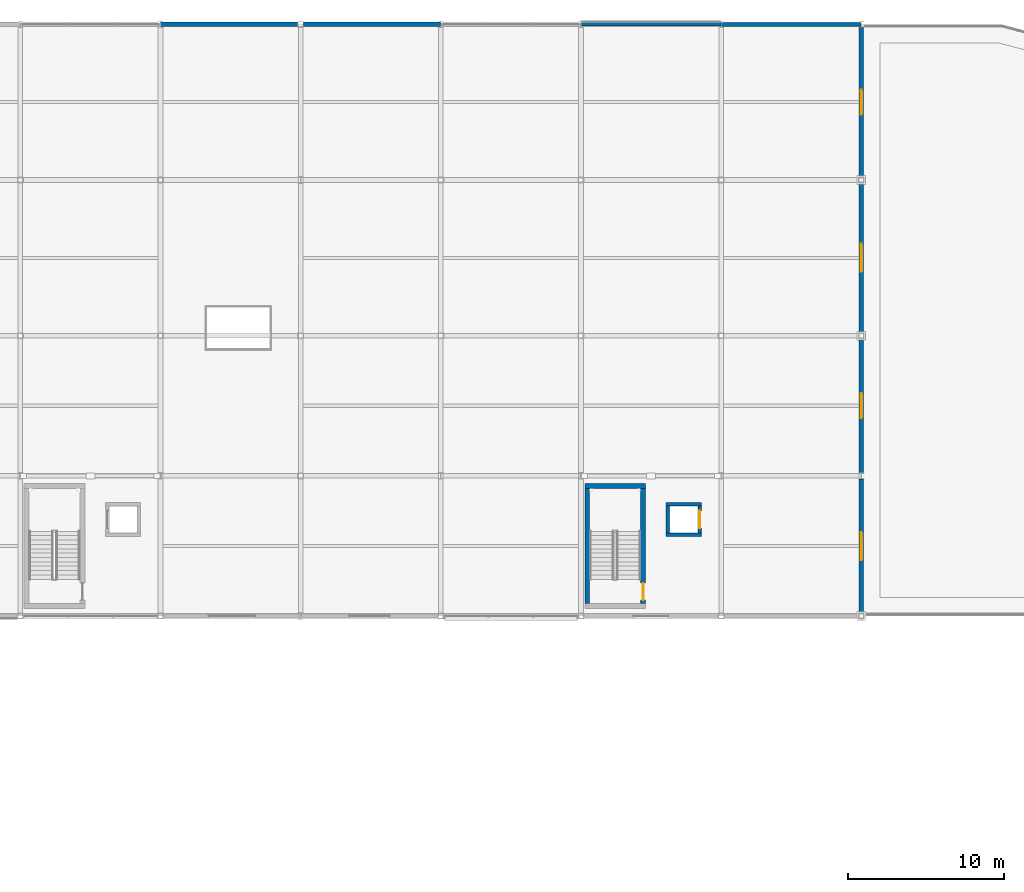
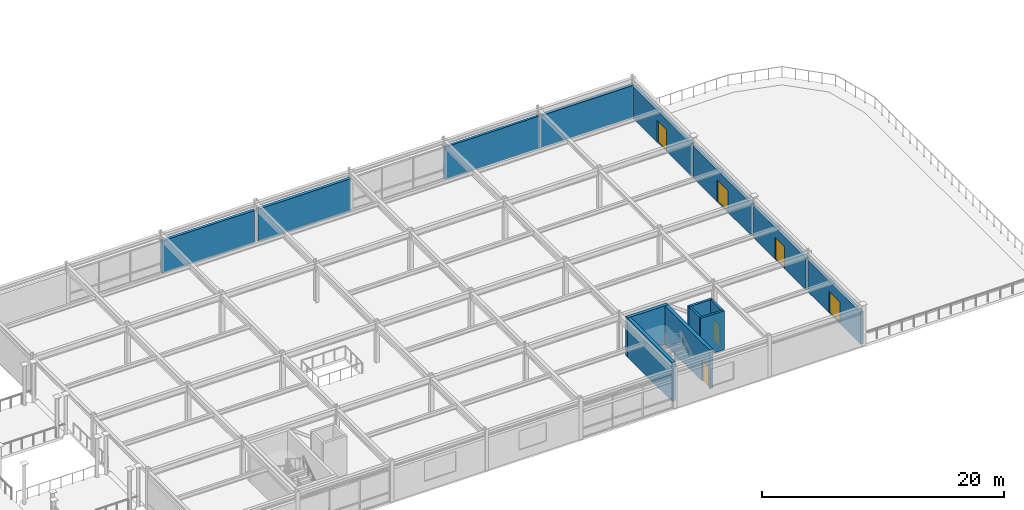
# One storey, part 39 of 53: 15 walls, 6 doors, 6 openings.
"""IFC4 building model written with IfcOpenShell, lengths in metres."""

from ifc_helpers import new_model, si_unit, direction, frame, frame_2d, origin, place, context, subcontext, project, spatial, rectangle, extrude, material, layer, layer_set, type_object, element, fill, save


model = new_model("IFC4")

# Units and contexts
model_context = context("Model", 3, precision=1e-05, world=origin(), true_north=direction((0.0, 1.0)))
body_context = subcontext(model_context, "Body", "Model", "MODEL_VIEW")
ifc_project = project(units=[si_unit("LENGTHUNIT", "METRE"), si_unit("AREAUNIT", "SQUARE_METRE"), si_unit("VOLUMEUNIT", "CUBIC_METRE"), si_unit("PLANEANGLEUNIT", "RADIAN"), si_unit("MASSUNIT", "GRAM", prefix="KILO")], contexts=[model_context])

# Site, building, storey
site_placement = place(None, origin())
site = spatial("IfcSite", under=ifc_project, at=site_placement, CompositionType="ELEMENT")
building_placement = place(site_placement, origin())
building = spatial("IfcBuilding", under=site, at=building_placement, Name="Suzunagisa Mobility Hub", CompositionType="ELEMENT")
storey_placement = place(building_placement, frame((0.0, 0.0, 17.699951171875)))
storey = spatial("IfcBuildingStorey", under=building, at=storey_placement, Name="L04", CompositionType="ELEMENT", Elevation=17.699951171875)

# Walls
ifc_material_1 = material(Name="Porcelain-Faced Insulated Concrete C30/37 Wall", Category="concrete")
ifc_layer_1 = layer(ifc_material_1, 0.260009765625)
ifc_layer_set_1 = layer_set([ifc_layer_1], Name="Porcelain-Faced Insulated Concrete C30/37 Wall")
wall_type_1 = type_object("IfcWallType", Name="Exterior Wall EW-03 260mm", PredefinedType="SOLIDWALL", material=ifc_layer_set_1)
wall_1_placement = place(storey_placement, frame((107.99560546875, 118.0, 0.0), z_axis=(0.0, 0.0, 1.0), x_axis=(-1.0, 0.0, 0.0)))
element("IfcWall", 1, at=wall_1_placement, inside=storey, type_object=wall_type_1, Name="L04 Exterior Facade Wall EW-234", PredefinedType="SOLIDWALL", context=body_context, shape_type="SweptSolid", body=[
    extrude(rectangle(XDim=8.9912109375, YDim=0.260009765625, at=frame_2d((4.49560546875, 0.0))), origin(), (0.0, 0.0, 1.0), 3.219970703125),
])
ifc_material_2 = material(Name="Lightweight Insulated Autoclaved Concrete C30/37 Wall", Category="concrete")
ifc_layer_2 = layer(ifc_material_2, 0.239990234375)
ifc_layer_set_2 = layer_set([ifc_layer_2], Name="Lightweight Insulated Autoclaved Concrete C30/37 Wall")
wall_type_2 = type_object("IfcWallType", Name="Exterior Wall EW-04 240mm", PredefinedType="SOLIDWALL", material=ifc_layer_set_2)
wall_2_placement = place(storey_placement, frame((98.99560546875, 118.0, 0.0), z_axis=(0.0, 0.0, 1.0), x_axis=(-1.0, 0.0, 0.0)))
element("IfcWall", 2, at=wall_2_placement, inside=storey, type_object=wall_type_2, Name="L04 Exterior Facade Wall EW-235", PredefinedType="SOLIDWALL", context=body_context, shape_type="SweptSolid", body=[
    extrude(rectangle(XDim=8.9912109375, YDim=0.239990234375, at=frame_2d((4.49560546875, 0.0))), origin(), (0.0, 0.0, 1.0), 3.25),
])

# Wall, opening, door
ifc_layer_3 = layer(ifc_material_1, 0.280029296875)
ifc_layer_set_3 = layer_set([ifc_layer_3], Name="Porcelain-Faced Insulated Concrete C30/37 Wall")
wall_type_3 = type_object("IfcWallType", Name="Exterior Wall EW-08 280mm", PredefinedType="SOLIDWALL", material=ifc_layer_set_3)
wall_3_placement = place(storey_placement, frame((108.0, 80.175048828125, 0.0), z_axis=(0.0, 0.0, 1.0), x_axis=(0.0, 1.0, 0.0)))
wall_3 = element("IfcWall", 3, at=wall_3_placement, inside=storey, type_object=wall_type_3, Name="L04 Terrace Access Wall 230", PredefinedType="SOLIDWALL", context=body_context, shape_type="SweptSolid", body=[
    extrude(rectangle(XDim=8.6298828125, YDim=0.280029296875, at=frame_2d((4.31494140625, 0.0))), origin(), (0.0, 0.0, 1.0), 3.219970703125),
])
opening_1_placement = place(wall_3_placement, frame((5.215087890625, 0.0, 0.0), z_axis=(0.0, 0.0, 1.0), x_axis=(-1.0, 0.0, 0.0)))
opening_1 = element("IfcOpeningElement", 4, at=opening_1_placement, cuts=wall_3, Name="Opening ED-12", PredefinedType="OPENING", context=body_context, shape_type="SweptSolid", body=[
    extrude(rectangle(XDim=1.800048828125, YDim=2.199951171875, at=frame_2d((0.89990234375, 1.10009765625))), frame((0.0, 0.15087890625, 0.0), z_axis=(0.0, -1.0, 0.0), x_axis=(1.0, 0.0, 0.0)), (0.0, 0.0, 1.0), 0.302001953125),
])
ifc_material_3 = material(Name="Anodized Aluminum and Tempered Safety Glass", Category="aluminium")
door_type_1 = type_object("IfcDoorType", Name="Exterior Glazed Aluminum Door ED-12 1800x2200", OperationType="DOUBLE_DOOR_SINGLE_SWING", PredefinedType="DOOR", material=ifc_material_3)
door_1_placement = place(opening_1_placement, origin())
door_1 = element("IfcDoor", 5, at=door_1_placement, inside=storey, type_object=door_type_1, Name="L04 Roof Garden Terrace Access Door TD-20", OperationType="SINGLE_SWING_LEFT", OverallHeight=2.199951171875, OverallWidth=1.800048828125, PredefinedType="DOOR", context=body_context, shape_type="SweptSolid", body=[
    extrude(rectangle(XDim=1.800048828125, YDim=2.199951171875, at=frame_2d((0.89990234375, 1.10009765625))), frame((0.0, 0.02490234375, 0.0), z_axis=(0.0, -1.0, 0.0), x_axis=(1.0, 0.0, 0.0)), (0.0, 0.0, 1.0), 0.050048828125),
])
fill(opening_1, door_1)

wall_4_placement = place(storey_placement, frame((108.0, 89.195068359375, 0.0), z_axis=(0.0, 0.0, 1.0), x_axis=(0.0, 1.0, 0.0)))
wall_4 = element("IfcWall", 6, at=wall_4_placement, inside=storey, type_object=wall_type_3, Name="L04 Terrace Access Wall 231", PredefinedType="SOLIDWALL", context=body_context, shape_type="SweptSolid", body=[
    extrude(rectangle(XDim=8.6298828125, YDim=0.280029296875, at=frame_2d((4.31494140625, 0.0))), origin(), (0.0, 0.0, 1.0), 3.219970703125),
])
opening_2_placement = place(wall_4_placement, frame((5.114990234375, 0.0, 0.0), z_axis=(0.0, 0.0, 1.0), x_axis=(-1.0, 0.0, 0.0)))
opening_2 = element("IfcOpeningElement", 7, at=opening_2_placement, cuts=wall_4, Name="Opening ED-03", PredefinedType="OPENING", context=body_context, shape_type="SweptSolid", body=[
    extrude(rectangle(XDim=1.60009765625, YDim=2.199951171875, at=frame_2d((0.800048828125, 1.10009765625))), frame((0.0, 0.15087890625, 0.0), z_axis=(0.0, -1.0, 0.0), x_axis=(1.0, 0.0, 0.0)), (0.0, 0.0, 1.0), 0.302001953125),
])
door_type_2 = type_object("IfcDoorType", Name="Exterior Glazed Aluminum Door ED-03 1600x2200", OperationType="DOUBLE_DOOR_SINGLE_SWING", PredefinedType="DOOR", material=ifc_material_3)
door_2_placement = place(opening_2_placement, origin())
door_2 = element("IfcDoor", 8, at=door_2_placement, inside=storey, type_object=door_type_2, Name="L04 Roof Garden Terrace Access Door TD-21", OperationType="SINGLE_SWING_LEFT", OverallHeight=2.199951171875, OverallWidth=1.60009765625, PredefinedType="DOOR", context=body_context, shape_type="SweptSolid", body=[
    extrude(rectangle(XDim=1.60009765625, YDim=2.199951171875, at=frame_2d((0.800048828125, 1.10009765625))), frame((0.0, 0.02490234375, 0.0), z_axis=(0.0, -1.0, 0.0), x_axis=(1.0, 0.0, 0.0)), (0.0, 0.0, 1.0), 0.050048828125),
])
fill(opening_2, door_2)

wall_5_placement = place(storey_placement, frame((108.0, 98.175048828125, 0.0), z_axis=(0.0, 0.0, 1.0), x_axis=(0.0, 1.0, 0.0)))
wall_5 = element("IfcWall", 9, at=wall_5_placement, inside=storey, type_object=wall_type_3, Name="L04 Terrace Access Wall 232", PredefinedType="SOLIDWALL", context=body_context, shape_type="SweptSolid", body=[
    extrude(rectangle(XDim=9.64990234375, YDim=0.280029296875, at=frame_2d((4.824951171875, 0.0))), origin(), (0.0, 0.0, 1.0), 3.219970703125),
])
opening_3_placement = place(wall_5_placement, frame((5.72509765625, 0.0, 0.0), z_axis=(0.0, 0.0, 1.0), x_axis=(-1.0, 0.0, 0.0)))
opening_3 = element("IfcOpeningElement", 10, at=opening_3_placement, cuts=wall_5, Name="Opening ED-12", PredefinedType="OPENING", context=body_context, shape_type="SweptSolid", body=[
    extrude(rectangle(XDim=1.800048828125, YDim=2.199951171875, at=frame_2d((0.89990234375, 1.10009765625))), frame((0.0, 0.15087890625, 0.0), z_axis=(0.0, -1.0, 0.0), x_axis=(1.0, 0.0, 0.0)), (0.0, 0.0, 1.0), 0.302001953125),
])
door_3_placement = place(opening_3_placement, origin())
door_3 = element("IfcDoor", 11, at=door_3_placement, inside=storey, type_object=door_type_1, Name="L04 Roof Garden Terrace Access Door TD-22", OperationType="SINGLE_SWING_LEFT", OverallHeight=2.199951171875, OverallWidth=1.800048828125, PredefinedType="DOOR", context=body_context, shape_type="SweptSolid", body=[
    extrude(rectangle(XDim=1.800048828125, YDim=2.199951171875, at=frame_2d((0.89990234375, 1.10009765625))), frame((0.0, 0.02490234375, 0.0), z_axis=(0.0, -1.0, 0.0), x_axis=(1.0, 0.0, 0.0)), (0.0, 0.0, 1.0), 0.050048828125),
])
fill(opening_3, door_3)

wall_6_placement = place(storey_placement, frame((108.0, 108.175048828125, 0.0), z_axis=(0.0, 0.0, 1.0), x_axis=(0.0, 1.0, 0.0)))
wall_6 = element("IfcWall", 12, at=wall_6_placement, inside=storey, type_object=wall_type_3, Name="L04 Terrace Access Wall 233", PredefinedType="SOLIDWALL", context=body_context, shape_type="SweptSolid", body=[
    extrude(rectangle(XDim=9.6298828125, YDim=0.280029296875, at=frame_2d((4.81494140625, 0.0))), origin(), (0.0, 0.0, 1.0), 3.219970703125),
])
opening_4_placement = place(wall_6_placement, frame((5.614990234375, 0.0, 0.0), z_axis=(0.0, 0.0, 1.0), x_axis=(-1.0, 0.0, 0.0)))
opening_4 = element("IfcOpeningElement", 13, at=opening_4_placement, cuts=wall_6, Name="Opening ED-03", PredefinedType="OPENING", context=body_context, shape_type="SweptSolid", body=[
    extrude(rectangle(XDim=1.60009765625, YDim=2.199951171875, at=frame_2d((0.800048828125, 1.10009765625))), frame((0.0, 0.15087890625, 0.0), z_axis=(0.0, -1.0, 0.0), x_axis=(1.0, 0.0, 0.0)), (0.0, 0.0, 1.0), 0.302001953125),
])
door_4_placement = place(opening_4_placement, origin())
door_4 = element("IfcDoor", 14, at=door_4_placement, inside=storey, type_object=door_type_2, Name="L04 Roof Garden Terrace Access Door TD-23", OperationType="SINGLE_SWING_LEFT", OverallHeight=2.199951171875, OverallWidth=1.60009765625, PredefinedType="DOOR", context=body_context, shape_type="SweptSolid", body=[
    extrude(rectangle(XDim=1.60009765625, YDim=2.199951171875, at=frame_2d((0.800048828125, 1.10009765625))), frame((0.0, 0.02490234375, 0.0), z_axis=(0.0, -1.0, 0.0), x_axis=(1.0, 0.0, 0.0)), (0.0, 0.0, 1.0), 0.050048828125),
])
fill(opening_4, door_4)

# Walls
wall_7_placement = place(storey_placement, frame((71.824951171875, 118.0, 0.0), z_axis=(0.0, 0.0, 1.0), x_axis=(-1.0, 0.0, 0.0)))
element("IfcWall", 15, at=wall_7_placement, inside=storey, type_object=wall_type_3, Name="L04 Exterior Facade Wall EW-237", PredefinedType="SOLIDWALL", context=body_context, shape_type="SweptSolid", body=[
    extrude(rectangle(XDim=8.820556640625, YDim=0.280029296875, at=frame_2d((4.41015625, 0.0))), origin(), (0.0, 0.0, 1.0), 3.25),
])
ifc_material_4 = material(Name="Insulated Precast Concrete C35/45 Panel", Category="concrete")
ifc_layer_4 = layer(ifc_material_4, 0.300048828125)
ifc_layer_set_4 = layer_set([ifc_layer_4], Name="Insulated Precast Concrete C35/45 Panel")
wall_type_4 = type_object("IfcWallType", Name="Exterior Wall EW-09 300mm", PredefinedType="SOLIDWALL", material=ifc_layer_set_4)
wall_8_placement = place(storey_placement, frame((80.99560546875, 118.0, 0.0), z_axis=(0.0, 0.0, 1.0), x_axis=(-1.0, 0.0, 0.0)))
element("IfcWall", 16, at=wall_8_placement, inside=storey, type_object=wall_type_4, Name="L04 Exterior Facade Wall EW-236", PredefinedType="SOLIDWALL", context=body_context, shape_type="SweptSolid", body=[
    extrude(rectangle(XDim=8.820556640625, YDim=0.300048828125, at=frame_2d((4.41015625, 0.0))), origin(), (0.0, 0.0, 1.0), 3.25),
])
ifc_material_5 = material(Name="Concrete C35/45", Category="concrete")
ifc_layer_5 = layer(ifc_material_5, 0.31005859375)
ifc_layer_set_5 = layer_set([ifc_layer_5], Name="Concrete C35/45")
wall_type_5 = type_object("IfcWallType", Name="Interior Wall IW-01 310mm", PredefinedType="SHEAR", material=ifc_layer_set_5)
wall_9_placement = place(storey_placement, frame((90.25, 88.35498046875, 0.0), z_axis=(0.0, 0.0, 1.0), x_axis=(1.0, 0.0, 0.0)))
element("IfcWall", 17, at=wall_9_placement, inside=storey, type_object=wall_type_5, Name="L04 Core C4 Shear Wall SW-286", PredefinedType="SHEAR", context=body_context, shape_type="SweptSolid", body=[
    extrude(rectangle(XDim=3.89990234375, YDim=0.31005859375, at=frame_2d((1.949951171875, 0.0))), origin(), (0.0, 0.0, 1.0), 3.920166015625),
])
wall_10_placement = place(storey_placement, frame((90.405029296875, 80.800048828125, 0.0), z_axis=(0.0, 0.0, 1.0), x_axis=(0.0, 1.0, 0.0)))
element("IfcWall", 18, at=wall_10_placement, inside=storey, type_object=wall_type_5, Name="L04 Core C4 Shear Wall SW-287", PredefinedType="SHEAR", context=body_context, shape_type="SweptSolid", body=[
    extrude(rectangle(XDim=7.39990234375, YDim=0.31005859375, at=frame_2d((3.699951171875, 0.0))), origin(), (0.0, 0.0, 1.0), 3.920166015625),
])

# Wall, opening, door
wall_11_placement = place(storey_placement, frame((93.9951171875, 80.800048828125, 0.0), z_axis=(0.0, 0.0, 1.0), x_axis=(0.0, 1.0, 0.0)))
wall_11 = element("IfcWall", 19, at=wall_11_placement, inside=storey, type_object=wall_type_5, Name="L04 Core C4 Shear Wall SW-288", PredefinedType="SHEAR", context=body_context, shape_type="SweptSolid", body=[
    extrude(rectangle(XDim=7.39990234375, YDim=0.31005859375, at=frame_2d((3.699951171875, 0.0))), origin(), (0.0, 0.0, 1.0), 3.920166015625),
])
opening_5_placement = place(wall_11_placement, frame((0.219970703125, 0.0, 0.0)))
opening_5 = element("IfcOpeningElement", 20, at=opening_5_placement, cuts=wall_11, Name="Opening DR-05", PredefinedType="OPENING", context=body_context, shape_type="SweptSolid", body=[
    extrude(rectangle(XDim=1.10009765625, YDim=2.14990234375, at=frame_2d((0.550048828125, 1.074951171875))), frame((0.0, 0.166015625, 0.0), z_axis=(0.0, -1.0, 0.0), x_axis=(1.0, 0.0, 0.0)), (0.0, 0.0, 1.0), 0.33203125),
])
ifc_material_6 = material(Name="Fire-Rated Hollow Steel Stair Door", Category="steel")
door_type_3 = type_object("IfcDoorType", Name="Interior Door DR-05 1100x2150", OperationType="SINGLE_SWING_LEFT", PredefinedType="DOOR", material=ifc_material_6)
door_5_placement = place(opening_5_placement, origin())
door_5 = element("IfcDoor", 21, at=door_5_placement, inside=storey, type_object=door_type_3, Name="L04 Core C4 Escape Stair Fire Door SD-70", OperationType="SINGLE_SWING_RIGHT", OverallHeight=2.14990234375, OverallWidth=1.10009765625, PredefinedType="DOOR", context=body_context, shape_type="SweptSolid", body=[
    extrude(rectangle(XDim=1.10009765625, YDim=2.14990234375, at=frame_2d((0.550048828125, 1.074951171875))), frame((0.0, 0.02490234375, 0.0), z_axis=(0.0, -1.0, 0.0), x_axis=(1.0, 0.0, 0.0)), (0.0, 0.0, 1.0), 0.050048828125),
])
fill(opening_5, door_5)

ifc_material_7 = material(Name="Fire-Rated Gypsum Stud Partition", Category="gypsum")
ifc_layer_6 = layer(ifc_material_7, 0.2099609375)
ifc_layer_set_6 = layer_set([ifc_layer_6], Name="Fire-Rated Gypsum Stud Partition")
wall_type_6 = type_object("IfcWallType", Name="Interior Wall IW-03 210mm", PredefinedType="PARTITIONING", material=ifc_layer_set_6)
wall_12_placement = place(storey_placement, frame((97.625, 85.330078125, 0.0), z_axis=(0.0, 0.0, 1.0), x_axis=(0.0, 1.0, 0.0)))
wall_12 = element("IfcWall", 22, at=wall_12_placement, inside=storey, type_object=wall_type_6, Name="L04 Lift LF-07 Shaft Front Wall", PredefinedType="PARTITIONING", context=body_context, shape_type="SweptSolid", body=[
    extrude(rectangle(XDim=1.739990234375, YDim=0.2099609375, at=frame_2d((0.8701171875, 0.0))), origin(), (0.0, 0.0, 1.0), 3.920166015625),
])
opening_6_placement = place(wall_12_placement, frame((0.320068359375, 0.0, 0.0)))
opening_6 = element("IfcOpeningElement", 23, at=opening_6_placement, cuts=wall_12, Name="Opening LD-01", PredefinedType="OPENING", context=body_context, shape_type="SweptSolid", body=[
    extrude(rectangle(XDim=1.10009765625, YDim=2.14990234375, at=frame_2d((0.550048828125, 1.074951171875))), frame((0.0, 0.115966796875, 0.0), z_axis=(0.0, -1.0, 0.0), x_axis=(1.0, 0.0, 0.0)), (0.0, 0.0, 1.0), 0.23193359375),
])
ifc_material_8 = material(Name="Brushed Stainless Steel SUS304", Category="metal")
door_type_4 = type_object("IfcDoorType", Name="Lift Landing Sliding Door LD-01 1100x2150", OperationType="SLIDING_TO_LEFT", PredefinedType="DOOR", material=ifc_material_8)
door_6_placement = place(opening_6_placement, origin())
door_6 = element("IfcDoor", 24, at=door_6_placement, inside=storey, type_object=door_type_4, Name="L04 Lift LF-07 Sliding Landing Door", OperationType="SLIDING_TO_LEFT", OverallHeight=2.14990234375, OverallWidth=1.10009765625, PredefinedType="DOOR", context=body_context, shape_type="SweptSolid", body=[
    extrude(rectangle(XDim=1.10009765625, YDim=2.14990234375, at=frame_2d((0.550048828125, 1.074951171875))), frame((0.0, 0.02490234375, 0.0), z_axis=(0.0, -1.0, 0.0), x_axis=(1.0, 0.0, 0.0)), (0.0, 0.0, 1.0), 0.050048828125),
])
fill(opening_6, door_6)

# Walls
wall_13_placement = place(storey_placement, frame((95.574951171875, 85.330078125, 0.0), z_axis=(0.0, 0.0, 1.0), x_axis=(0.0, 1.0, 0.0)))
element("IfcWall", 25, at=wall_13_placement, inside=storey, type_object=wall_type_6, Name="L04 Lift LF-07 Shaft Back Wall", PredefinedType="PARTITIONING", context=body_context, shape_type="SweptSolid", body=[
    extrude(rectangle(XDim=1.739990234375, YDim=0.2099609375, at=frame_2d((0.8701171875, 0.0))), origin(), (0.0, 0.0, 1.0), 3.920166015625),
])
for number, where, z_axis, x_axis, name in (
    (26, (95.469970703125, 85.22509765625, 0.0), (0.0, 0.0, 1.0), (1.0, 0.0, 0.0), "L04 Lift LF-07 Shaft South Wall"),
    (27, (95.469970703125, 87.175048828125, 0.0), (0.0, 0.0, 1.0), (1.0, 0.0, 0.0), "L04 Lift LF-07 Shaft North Wall"),
):
    element("IfcWall", number, at=place(storey_placement, frame(where, z_axis=z_axis, x_axis=x_axis)), inside=storey, type_object=wall_type_6, Name=name, PredefinedType="PARTITIONING", context=body_context, shape_type="SweptSolid", body=[
        extrude(rectangle(XDim=2.260009765625, YDim=0.2099609375, at=frame_2d((1.1298828125, 0.0))), origin(), (0.0, 0.0, 1.0), 3.920166015625),
    ])

save(model, "model.ifc")
